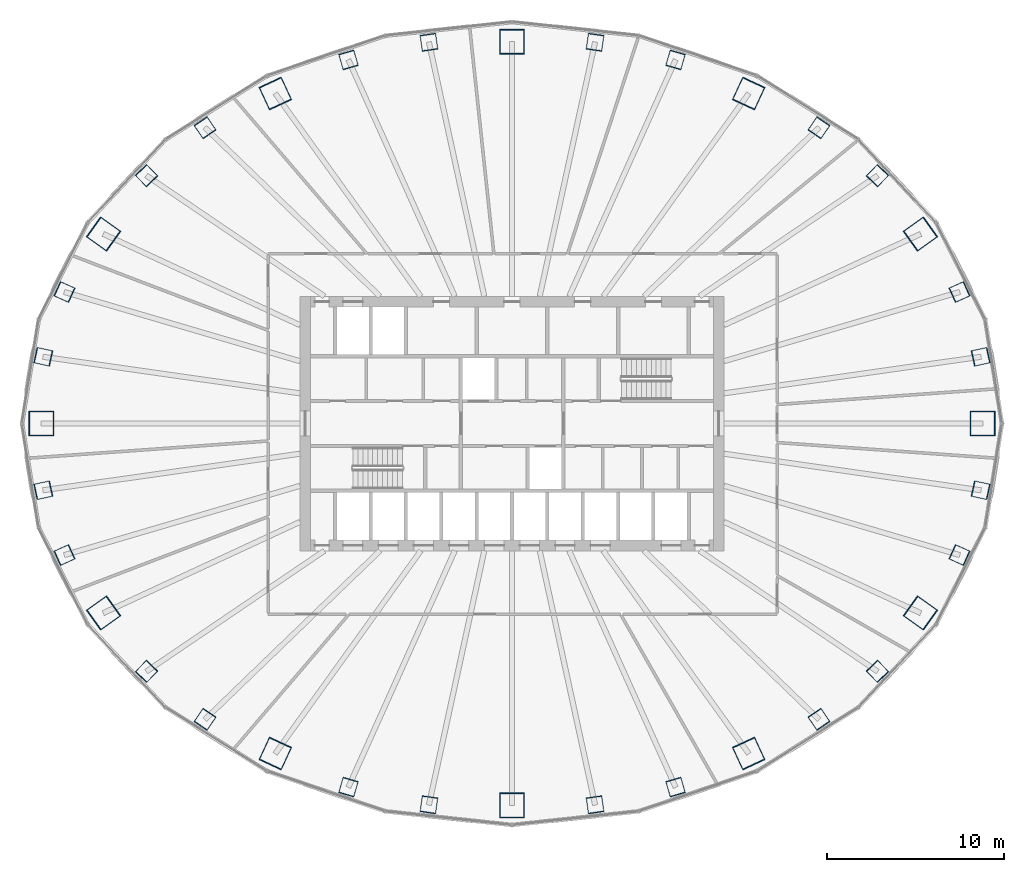
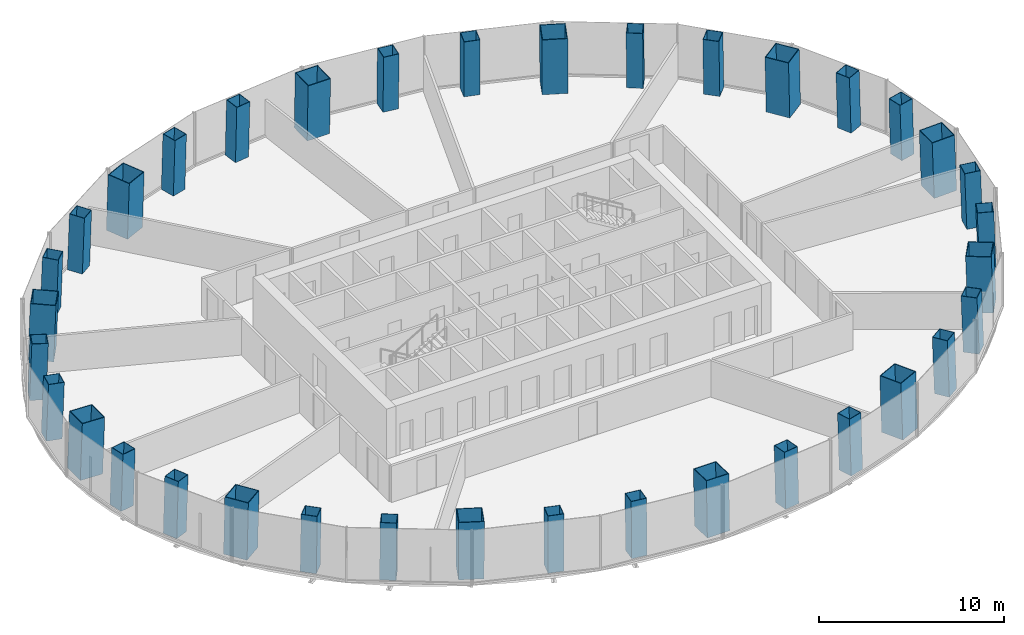
# One storey, part 1 of 11: 36 columns.
"""IFC4 building model written with IfcOpenShell, lengths in metres."""

import ifcopenshell
import ifcopenshell.guid

model = None  # the IFC model being written
_history = None  # IfcOwnerHistory: only IFC2X3 demands one
_inside = {}  # id of a spatial element -> (the spatial element, [elements in it])
_under = {}  # id of a project, library or spatial element -> (it, [spatial elements below it])
_declared = {}  # id of a project -> (the project, [libraries it declares])
_typed = {}  # id of a type object -> (the type object, [elements of that type])
_made_of = {}  # id of a material, layer set ... -> (it, [elements and type objects made of it])


def new_model(schema):
    """Start an empty IFC model of exactly this schema.

    Asked for "IFC4X3", IfcOpenShell would pick the latest addendum, in which some entities
    have other attributes; the version numbers below select the first issue.
    IFC2X3 requires an IfcOwnerHistory on every rooted entity: one is made here for all.
    """
    global model, _history
    if schema == "IFC4X3":
        model = ifcopenshell.file(schema_version=(4, 3, 0, 0))
    else:
        model = ifcopenshell.file(schema=schema)
    _inside.clear()
    _under.clear()
    _declared.clear()
    _typed.clear()
    _made_of.clear()
    _history = None
    if model.schema == "IFC2X3":
        org = make("IfcOrganization", Name="unknown")
        user = make(
            "IfcPersonAndOrganization",
            ThePerson=make("IfcPerson", FamilyName="unknown"),
            TheOrganization=org,
        )
        app = make(
            "IfcApplication",
            ApplicationDeveloper=org,
            Version="unknown",
            ApplicationFullName="unknown",
            ApplicationIdentifier="unknown",
        )
        _history = make(
            "IfcOwnerHistory",
            OwningUser=user,
            OwningApplication=app,
            ChangeAction="ADDED",
            CreationDate=0,
        )
    return model


def make(cls, **values):
    """One entity of the class cls with the attributes given. An attribute that is None is left unset."""
    return model.create_entity(
        cls, **{name: value for name, value in values.items() if value is not None}
    )


def rooted(cls, **values):
    """An entity with a GlobalId (a new one), such as an element, a storey or a relation."""
    return make(cls, GlobalId=ifcopenshell.guid.new(), OwnerHistory=_history, **values)


def si_unit(unit_type, name, prefix=None):
    """IfcSIUnit, for example si_unit("LENGTHUNIT", "METRE", prefix="MILLI")."""
    return make("IfcSIUnit", UnitType=unit_type, Prefix=prefix, Name=name)


def assignment(units):
    """IfcUnitAssignment: the units of a project."""
    return None if units is None else make("IfcUnitAssignment", Units=units)


def point(xyz):
    """IfcCartesianPoint."""
    return None if xyz is None else make("IfcCartesianPoint", Coordinates=xyz)


def direction(xyz):
    """IfcDirection."""
    return None if xyz is None else make("IfcDirection", DirectionRatios=xyz)


def frame(location, z_axis=None, x_axis=None):
    """IfcAxis2Placement3D, a coordinate frame: its origin and axes. An axis left out is left unset."""
    return make(
        "IfcAxis2Placement3D",
        Location=point(location),
        Axis=direction(z_axis),
        RefDirection=direction(x_axis),
    )


def frame_2d(location, x_axis=None):
    """IfcAxis2Placement2D, a coordinate frame in the plane: its origin and x axis."""
    return make(
        "IfcAxis2Placement2D", Location=point(location), RefDirection=direction(x_axis)
    )


def origin():
    """The frame at (0, 0, 0) with its axes left unset."""
    return frame((0.0, 0.0, 0.0))


def origin_2d():
    """The frame at (0, 0) in the plane with its x axis left unset."""
    return frame_2d((0.0, 0.0))


def place(relative_to, where):
    """IfcLocalPlacement: puts the frame where relative to a parent placement (None: the world)."""
    return make(
        "IfcLocalPlacement", PlacementRelTo=relative_to, RelativePlacement=where
    )


def context(
    kind, dimensions, precision=None, world=None, true_north=None, identifier=None
):
    """IfcGeometricRepresentationContext, for example the 3D "Model" context."""
    return make(
        "IfcGeometricRepresentationContext",
        ContextIdentifier=identifier,
        ContextType=kind,
        CoordinateSpaceDimension=dimensions,
        Precision=precision,
        WorldCoordinateSystem=world,
        TrueNorth=true_north,
    )


def subcontext(parent, identifier, kind, view, scale=None):
    """IfcGeometricRepresentationSubContext, for example "Body" below "Model"."""
    return make(
        "IfcGeometricRepresentationSubContext",
        ContextIdentifier=identifier,
        ContextType=kind,
        ParentContext=parent,
        TargetScale=scale,
        TargetView=view,
    )


def project(units=None, contexts=None):
    """IfcProject with its units and contexts."""
    return rooted(
        "IfcProject",
        Name="project",
        RepresentationContexts=contexts,
        UnitsInContext=assignment(units),
    )


def spatial(cls, under=None, at=None, **own):
    """A site, building, storey or space (cls), placed at a placement, below another one or the project."""
    s = rooted(cls, ObjectPlacement=at, **own)
    if under is not None:
        _under.setdefault(under.id(), (under, []))[1].append(s)
    return s


def profile(cls, at=None, kind="AREA", **sizes):
    """A parametric profile (cls). Its sizes go by their IFC names, for example OverallWidth=200.0."""
    return make(cls, ProfileType=kind, Position=at, **sizes)


def hollow_rectangle(**sizes):
    """IfcRectangleHollowProfileDef."""
    return profile("IfcRectangleHollowProfileDef", **sizes)


def extrude(swept, where, along, depth):
    """IfcExtrudedAreaSolid: the profile swept, set in the frame where, extruded along a direction by depth."""
    return make(
        "IfcExtrudedAreaSolid",
        SweptArea=swept,
        Position=where,
        ExtrudedDirection=direction(along),
        Depth=depth,
    )


def shape(context_of_items, identifier, shape_type, items):
    """IfcShapeRepresentation: the items that make up one representation, for example the "Body"."""
    return make(
        "IfcShapeRepresentation",
        ContextOfItems=context_of_items,
        RepresentationIdentifier=identifier,
        RepresentationType=shape_type,
        Items=items,
    )


def material(Name=None, Category=None):
    """IfcMaterial."""
    return make("IfcMaterial", Name=Name, Category=Category)


def material_profile(
    of_material, cross_section, Name=None, Category=None, Priority=None
):
    """IfcMaterialProfile: a cross section and its material."""
    return make(
        "IfcMaterialProfile",
        Name=Name,
        Material=of_material,
        Profile=cross_section,
        Priority=Priority,
        Category=Category,
    )


def profile_set(profiles, Name=None, composite=None):
    """IfcMaterialProfileSet."""
    return make(
        "IfcMaterialProfileSet",
        Name=Name,
        MaterialProfiles=profiles,
        CompositeProfile=composite,
    )


def made_of(thing, what):
    """Note that an element or type object is made of a material, layer set ...; save() writes the relation."""
    if what is not None:
        _made_of.setdefault(what.id(), (what, []))[1].append(thing)
    return thing


def type_object(cls, material=None, **own):
    """A type object (cls), such as IfcWallType, which elements share."""
    return made_of(rooted(cls, **own), material)


def element(
    cls,
    number,
    at=None,
    inside=None,
    cuts=None,
    type_object=None,
    material=None,
    context=None,
    identifier="Body",
    shape_type=None,
    held_by="IfcProductDefinitionShape",
    body=None,
    shapes=None,
    **own,
):
    """One element of the class cls, such as IfcWall. Its Tag is "e" and its number.

    at: its placement. inside: the storey or other place that contains it. cuts: it is an
    opening in that element (IfcRelVoidsElement). A single representation is given by context,
    identifier, shape_type and body (its items); several are given by shapes. held_by: the class
    of the entity that holds the representations. save() writes the other relations.
    """
    e = rooted(cls, Tag="e%d" % number, ObjectPlacement=at, **own)
    if body is not None:
        shapes = [shape(context, identifier, shape_type, body)]
    if shapes is not None:
        e.Representation = make(held_by, Representations=shapes)
    if inside is not None:
        _inside.setdefault(inside.id(), (inside, []))[1].append(e)
    if cuts is not None:
        rooted(
            "IfcRelVoidsElement", RelatingBuildingElement=cuts, RelatedOpeningElement=e
        )
    if type_object is not None:
        _typed.setdefault(type_object.id(), (type_object, []))[1].append(e)
    return made_of(e, material)


def aggregate(whole, parts):
    """IfcRelAggregates: a whole, such as a stair, and the parts it consists of."""
    return rooted("IfcRelAggregates", RelatingObject=whole, RelatedObjects=parts)


def save(model, path):
    """Write the relations noted so far, then the file.

    IfcRelAggregates (storeys below a building ...), IfcRelContainedInSpatialStructure (elements
    in a storey), IfcRelDefinesByType, IfcRelAssociatesMaterial and IfcRelDeclares: one each for
    every whole, place, type object, material and project.
    """
    for whole, parts in _under.values():
        aggregate(whole, parts)
    for where, things in _inside.values():
        rooted(
            "IfcRelContainedInSpatialStructure",
            RelatedElements=things,
            RelatingStructure=where,
        )
    for kind, things in _typed.values():
        rooted("IfcRelDefinesByType", RelatedObjects=things, RelatingType=kind)
    for what, things in _made_of.values():
        rooted("IfcRelAssociatesMaterial", RelatedObjects=things, RelatingMaterial=what)
    for by, libraries in _declared.values():
        rooted("IfcRelDeclares", RelatingContext=by, RelatedDefinitions=libraries)
    model.write(path)


model = new_model("IFC4")

# Units and contexts
model_context = context("Model", 3, precision=1e-05, world=origin(), true_north=direction((0.0, 1.0)))
body_context = subcontext(model_context, "Body", "Model", "MODEL_VIEW")
ifc_project = project(units=[si_unit("LENGTHUNIT", "METRE"), si_unit("AREAUNIT", "SQUARE_METRE"), si_unit("VOLUMEUNIT", "CUBIC_METRE"), si_unit("PLANEANGLEUNIT", "RADIAN"), si_unit("MASSUNIT", "GRAM", prefix="KILO")], contexts=[model_context])

# Site, building, storey
site_placement = place(None, origin())
site = spatial("IfcSite", under=ifc_project, at=site_placement, CompositionType="ELEMENT")
building_placement = place(site_placement, origin())
building = spatial("IfcBuilding", under=site, at=building_placement, Name="Siaravel Broadcast Tower", CompositionType="ELEMENT")
storey_placement = place(building_placement, frame((0.0, 0.0, 51.89990234375)))
storey = spatial("IfcBuildingStorey", under=building, at=storey_placement, Name="L11", CompositionType="ELEMENT", Elevation=51.89990234375)

# Columns
ifc_material = material(Name="Concrete C70/85", Category="concrete")
ifc_material_profile_1 = material_profile(ifc_material, hollow_rectangle(XDim=1.39990234375, YDim=1.39990234375, WallThickness=0.0400390625, at=origin_2d()))
ifc_profile_set_1 = profile_set([ifc_material_profile_1], Name="Concrete C70/85")
column_type_1 = type_object("IfcColumnType", Name="COL-CFT BOX 1400x1400x40", PredefinedType="COLUMN", material=ifc_profile_set_1)
column_1_placement = place(storey_placement, frame((26.64599609375, 0.0, 0.0), z_axis=(-0.034618983, 0.0, 0.999400583), x_axis=(0.0, -1.0, 0.0)))
element("IfcColumn", 1, at=column_1_placement, inside=storey, type_object=column_type_1, Name="Megacolumn MC01", PredefinedType="COLUMN", context=body_context, shape_type="SweptSolid", body=[
    extrude(hollow_rectangle(XDim=1.39990234375, YDim=1.39990234375, WallThickness=0.0400390625, at=origin_2d()), origin(), (0.0, 0.0, 1.0), 3.702392578125),
])
column_2_placement = place(storey_placement, frame((23.129638671875, 10.729736328125, 0.0), z_axis=(-0.029938721, -0.014112084, 0.999452111), x_axis=(0.581020427, -0.813867496, 0.005912881)))
element("IfcColumn", 2, at=column_2_placement, inside=storey, type_object=column_type_1, Name="Megacolumn MC02", PredefinedType="COLUMN", context=body_context, shape_type="SweptSolid", body=[
    extrude(hollow_rectangle(XDim=1.39990234375, YDim=1.39990234375, WallThickness=0.0400390625, at=origin_2d()), origin(), (0.0, 0.0, 1.0), 3.7021484375),
])
column_3_placement = place(storey_placement, frame((13.402587890625, 18.687744140625, 0.0), z_axis=(-0.017279098, -0.024533681, 0.999549664), x_axis=(0.907591228, -0.419820395, 0.005385043)))
element("IfcColumn", 3, at=column_3_placement, inside=storey, type_object=column_type_1, Name="Megacolumn MC03", PredefinedType="COLUMN", context=body_context, shape_type="SweptSolid", body=[
    extrude(hollow_rectangle(XDim=1.39990234375, YDim=1.39990234375, WallThickness=0.0400390625, at=origin_2d()), origin(), (0.0, 0.0, 1.0), 3.701904296875),
])
column_4_placement = place(storey_placement, frame((0.0, 21.627197265625, 0.0), z_axis=(0.0, -0.02836019, 0.999597769), x_axis=(1.0, 0.0, 0.0)))
element("IfcColumn", 4, at=column_4_placement, inside=storey, type_object=column_type_1, Name="Megacolumn MC04", PredefinedType="COLUMN", context=body_context, shape_type="SweptSolid", body=[
    extrude(hollow_rectangle(XDim=1.39990234375, YDim=1.39990234375, WallThickness=0.0400390625, at=origin_2d()), origin(), (0.0, 0.0, 1.0), 3.70166015625),
])
column_5_placement = place(storey_placement, frame((-13.402587890625, 18.687744140625, 0.0), z_axis=(0.017279098, -0.024533681, 0.999549664), x_axis=(0.907591228, 0.419820395, -0.005385043)))
element("IfcColumn", 5, at=column_5_placement, inside=storey, type_object=column_type_1, Name="Megacolumn MC05", PredefinedType="COLUMN", context=body_context, shape_type="SweptSolid", body=[
    extrude(hollow_rectangle(XDim=1.39990234375, YDim=1.39990234375, WallThickness=0.0400390625, at=origin_2d()), origin(), (0.0, 0.0, 1.0), 3.701904296875),
])
column_6_placement = place(storey_placement, frame((-23.129638671875, 10.729736328125, 0.0), z_axis=(0.029938721, -0.014112084, 0.999452111), x_axis=(0.581020427, 0.813867496, -0.005912881)))
element("IfcColumn", 6, at=column_6_placement, inside=storey, type_object=column_type_1, Name="Megacolumn MC06", PredefinedType="COLUMN", context=body_context, shape_type="SweptSolid", body=[
    extrude(hollow_rectangle(XDim=1.39990234375, YDim=1.39990234375, WallThickness=0.0400390625, at=origin_2d()), origin(), (0.0, 0.0, 1.0), 3.7021484375),
])
column_7_placement = place(storey_placement, frame((-26.64599609375, 0.0, 0.0), z_axis=(0.034618983, 0.0, 0.999400583), x_axis=(0.0, 1.0, 0.0)))
element("IfcColumn", 7, at=column_7_placement, inside=storey, type_object=column_type_1, Name="Megacolumn MC07", PredefinedType="COLUMN", context=body_context, shape_type="SweptSolid", body=[
    extrude(hollow_rectangle(XDim=1.39990234375, YDim=1.39990234375, WallThickness=0.0400390625, at=origin_2d()), origin(), (0.0, 0.0, 1.0), 3.702392578125),
])
column_8_placement = place(storey_placement, frame((-23.129638671875, -10.729736328125, 0.0), z_axis=(0.029938721, 0.014112084, 0.999452111), x_axis=(-0.581020427, 0.813867496, 0.005912881)))
element("IfcColumn", 8, at=column_8_placement, inside=storey, type_object=column_type_1, Name="Megacolumn MC08", PredefinedType="COLUMN", context=body_context, shape_type="SweptSolid", body=[
    extrude(hollow_rectangle(XDim=1.39990234375, YDim=1.39990234375, WallThickness=0.0400390625, at=origin_2d()), origin(), (0.0, 0.0, 1.0), 3.7021484375),
])
column_9_placement = place(storey_placement, frame((-13.402587890625, -18.687744140625, 0.0), z_axis=(0.017279098, 0.024533681, 0.999549664), x_axis=(-0.907591228, 0.419820395, 0.005385043)))
element("IfcColumn", 9, at=column_9_placement, inside=storey, type_object=column_type_1, Name="Megacolumn MC09", PredefinedType="COLUMN", context=body_context, shape_type="SweptSolid", body=[
    extrude(hollow_rectangle(XDim=1.39990234375, YDim=1.39990234375, WallThickness=0.0400390625, at=origin_2d()), origin(), (0.0, 0.0, 1.0), 3.701904296875),
])
column_10_placement = place(storey_placement, frame((0.0, -21.627197265625, 0.0), z_axis=(0.0, 0.02836019, 0.999597769), x_axis=(-1.0, 0.0, 0.0)))
element("IfcColumn", 10, at=column_10_placement, inside=storey, type_object=column_type_1, Name="Megacolumn MC10", PredefinedType="COLUMN", context=body_context, shape_type="SweptSolid", body=[
    extrude(hollow_rectangle(XDim=1.39990234375, YDim=1.39990234375, WallThickness=0.0400390625, at=origin_2d()), origin(), (0.0, 0.0, 1.0), 3.70166015625),
])
column_11_placement = place(storey_placement, frame((13.402587890625, -18.687744140625, 0.0), z_axis=(-0.017279098, 0.024533681, 0.999549664), x_axis=(-0.907591228, -0.419820395, -0.005385043)))
element("IfcColumn", 11, at=column_11_placement, inside=storey, type_object=column_type_1, Name="Megacolumn MC11", PredefinedType="COLUMN", context=body_context, shape_type="SweptSolid", body=[
    extrude(hollow_rectangle(XDim=1.39990234375, YDim=1.39990234375, WallThickness=0.0400390625, at=origin_2d()), origin(), (0.0, 0.0, 1.0), 3.701904296875),
])
column_12_placement = place(storey_placement, frame((23.129638671875, -10.729736328125, 0.0), z_axis=(-0.029938721, 0.014112084, 0.999452111), x_axis=(-0.581020427, -0.813867496, -0.005912881)))
element("IfcColumn", 12, at=column_12_placement, inside=storey, type_object=column_type_1, Name="Megacolumn MC12", PredefinedType="COLUMN", context=body_context, shape_type="SweptSolid", body=[
    extrude(hollow_rectangle(XDim=1.39990234375, YDim=1.39990234375, WallThickness=0.0400390625, at=origin_2d()), origin(), (0.0, 0.0, 1.0), 3.7021484375),
])
ifc_material_profile_2 = material_profile(ifc_material, hollow_rectangle(XDim=0.89990234375, YDim=0.89990234375, WallThickness=0.02490234375, at=origin_2d()))
ifc_profile_set_2 = profile_set([ifc_material_profile_2], Name="Concrete C70/85")
column_type_2 = type_object("IfcColumnType", Name="COL-CFT BOX 900x900x25", PredefinedType="COLUMN", material=ifc_profile_set_2)
for number, where, z_axis, x_axis, name in (
    (13, (26.54248046875, 3.7783203125, 0.0), (-0.034091657, -0.004945598, 0.999406474), (0.213009159, -0.977047178, 0.002431195), "Perimeter column C01"),
    (14, (25.341552734375, 7.4482421875, 0.0), (-0.032509649, -0.009693546, 0.999424413), (0.409567466, -0.912268859, 0.004474349), "Perimeter column C02"),
):
    element("IfcColumn", number, at=place(storey_placement, frame(where, z_axis=z_axis, x_axis=x_axis)), inside=storey, type_object=column_type_2, Name=name, PredefinedType="COLUMN", context=body_context, shape_type="SweptSolid", body=[
        extrude(hollow_rectangle(XDim=0.89990234375, YDim=0.89990234375, WallThickness=0.02490234375, at=origin_2d()), origin(), (0.0, 0.0, 1.0), 3.702392578125),
    ])
column_13_placement = place(storey_placement, frame((20.69580078125, 14.0361328125, 0.0), z_axis=(-0.026510431, -0.018201192, 0.999482823), x_axis=(0.719463139, -0.694500807, 0.006435864)))
element("IfcColumn", 15, at=column_13_placement, inside=storey, type_object=column_type_2, Name="Perimeter column C03", PredefinedType="COLUMN", context=body_context, shape_type="SweptSolid", body=[
    extrude(hollow_rectangle(XDim=0.89990234375, YDim=0.89990234375, WallThickness=0.02490234375, at=origin_2d()), origin(), (0.0, 0.0, 1.0), 3.7021484375),
])
column_14_placement = place(storey_placement, frame((17.381591796875, 16.750732421875, 0.0), z_axis=(-0.02222469, -0.021697101, 0.999517533), x_axis=(0.827695499, -0.561142971, 0.006223103)))
element("IfcColumn", 16, at=column_14_placement, inside=storey, type_object=column_type_2, Name="Perimeter column C04", PredefinedType="COLUMN", context=body_context, shape_type="SweptSolid", body=[
    extrude(hollow_rectangle(XDim=0.89990234375, YDim=0.89990234375, WallThickness=0.02490234375, at=origin_2d()), origin(), (0.0, 0.0, 1.0), 3.701904296875),
])
for number, where, z_axis, x_axis, name in (
    (17, (9.260986328125, 20.58984375, 0.0), (-0.011805488, -0.026644788, 0.999575253), (0.959882051, -0.280377469, 0.003862918), "Perimeter column C05"),
    (18, (4.70361328125, 21.590087890625, 0.0), (-0.006001778, -0.027898372, 0.999592747), (0.990093664, -0.14039384, 0.002026388), "Perimeter column C06"),
    (19, (-4.70361328125, 21.590087890625, 0.0), (0.006001778, -0.027898372, 0.999592747), (0.990093664, 0.14039384, -0.002026388), "Perimeter column C07"),
    (20, (-9.260986328125, 20.58984375, 0.0), (0.011805488, -0.026644788, 0.999575253), (0.959882051, 0.280377469, -0.003862918), "Perimeter column C08"),
):
    element("IfcColumn", number, at=place(storey_placement, frame(where, z_axis=z_axis, x_axis=x_axis)), inside=storey, type_object=column_type_2, Name=name, PredefinedType="COLUMN", context=body_context, shape_type="SweptSolid", body=[
        extrude(hollow_rectangle(XDim=0.89990234375, YDim=0.89990234375, WallThickness=0.02490234375, at=origin_2d()), origin(), (0.0, 0.0, 1.0), 3.70166015625),
    ])
column_15_placement = place(storey_placement, frame((-17.381591796875, 16.750732421875, 0.0), z_axis=(0.02222469, -0.021697101, 0.999517533), x_axis=(0.827695499, 0.561142971, -0.006223103)))
element("IfcColumn", 21, at=column_15_placement, inside=storey, type_object=column_type_2, Name="Perimeter column C09", PredefinedType="COLUMN", context=body_context, shape_type="SweptSolid", body=[
    extrude(hollow_rectangle(XDim=0.89990234375, YDim=0.89990234375, WallThickness=0.02490234375, at=origin_2d()), origin(), (0.0, 0.0, 1.0), 3.701904296875),
])
column_16_placement = place(storey_placement, frame((-20.69580078125, 14.0361328125, 0.0), z_axis=(0.026510431, -0.018201192, 0.999482823), x_axis=(0.719463139, 0.694500807, -0.006435864)))
element("IfcColumn", 22, at=column_16_placement, inside=storey, type_object=column_type_2, Name="Perimeter column C10", PredefinedType="COLUMN", context=body_context, shape_type="SweptSolid", body=[
    extrude(hollow_rectangle(XDim=0.89990234375, YDim=0.89990234375, WallThickness=0.02490234375, at=origin_2d()), origin(), (0.0, 0.0, 1.0), 3.7021484375),
])
for number, where, z_axis, x_axis, name in (
    (23, (-25.341552734375, 7.4482421875, 0.0), (0.032509649, -0.009693546, 0.999424413), (0.409567466, 0.912268859, -0.004474349), "Perimeter column C11"),
    (24, (-26.54248046875, 3.7783203125, 0.0), (0.034091657, -0.004945598, 0.999406474), (0.213009159, 0.977047178, -0.002431195), "Perimeter column C12"),
    (25, (-26.54248046875, -3.7783203125, 0.0), (0.034091657, 0.004945598, 0.999406474), (-0.213009159, 0.977047178, 0.002431195), "Perimeter column C13"),
    (26, (-25.341552734375, -7.4482421875, 0.0), (0.032509649, 0.009693546, 0.999424413), (-0.409567466, 0.912268859, 0.004474349), "Perimeter column C14"),
):
    element("IfcColumn", number, at=place(storey_placement, frame(where, z_axis=z_axis, x_axis=x_axis)), inside=storey, type_object=column_type_2, Name=name, PredefinedType="COLUMN", context=body_context, shape_type="SweptSolid", body=[
        extrude(hollow_rectangle(XDim=0.89990234375, YDim=0.89990234375, WallThickness=0.02490234375, at=origin_2d()), origin(), (0.0, 0.0, 1.0), 3.702392578125),
    ])
column_17_placement = place(storey_placement, frame((-20.69580078125, -14.0361328125, 0.0), z_axis=(0.026510431, 0.018201192, 0.999482823), x_axis=(-0.719463139, 0.694500807, 0.006435864)))
element("IfcColumn", 27, at=column_17_placement, inside=storey, type_object=column_type_2, Name="Perimeter column C15", PredefinedType="COLUMN", context=body_context, shape_type="SweptSolid", body=[
    extrude(hollow_rectangle(XDim=0.89990234375, YDim=0.89990234375, WallThickness=0.02490234375, at=origin_2d()), origin(), (0.0, 0.0, 1.0), 3.7021484375),
])
column_18_placement = place(storey_placement, frame((-17.381591796875, -16.750732421875, 0.0), z_axis=(0.02222469, 0.021697101, 0.999517533), x_axis=(-0.827695499, 0.561142971, 0.006223103)))
element("IfcColumn", 28, at=column_18_placement, inside=storey, type_object=column_type_2, Name="Perimeter column C16", PredefinedType="COLUMN", context=body_context, shape_type="SweptSolid", body=[
    extrude(hollow_rectangle(XDim=0.89990234375, YDim=0.89990234375, WallThickness=0.02490234375, at=origin_2d()), origin(), (0.0, 0.0, 1.0), 3.701904296875),
])
for number, where, z_axis, x_axis, name in (
    (29, (-9.260986328125, -20.58984375, 0.0), (0.011805488, 0.026644788, 0.999575253), (-0.959882051, 0.280377469, 0.003862918), "Perimeter column C17"),
    (30, (-4.70361328125, -21.590087890625, 0.0), (0.006001778, 0.027898372, 0.999592747), (-0.990093664, 0.14039384, 0.002026388), "Perimeter column C18"),
    (31, (4.70361328125, -21.590087890625, 0.0), (-0.006001778, 0.027898372, 0.999592747), (-0.990093664, -0.14039384, -0.002026388), "Perimeter column C19"),
    (32, (9.260986328125, -20.58984375, 0.0), (-0.011805488, 0.026644788, 0.999575253), (-0.959882051, -0.280377469, -0.003862918), "Perimeter column C20"),
):
    element("IfcColumn", number, at=place(storey_placement, frame(where, z_axis=z_axis, x_axis=x_axis)), inside=storey, type_object=column_type_2, Name=name, PredefinedType="COLUMN", context=body_context, shape_type="SweptSolid", body=[
        extrude(hollow_rectangle(XDim=0.89990234375, YDim=0.89990234375, WallThickness=0.02490234375, at=origin_2d()), origin(), (0.0, 0.0, 1.0), 3.70166015625),
    ])
column_19_placement = place(storey_placement, frame((17.381591796875, -16.750732421875, 0.0), z_axis=(-0.02222469, 0.021697101, 0.999517533), x_axis=(-0.827695499, -0.561142971, -0.006223103)))
element("IfcColumn", 33, at=column_19_placement, inside=storey, type_object=column_type_2, Name="Perimeter column C21", PredefinedType="COLUMN", context=body_context, shape_type="SweptSolid", body=[
    extrude(hollow_rectangle(XDim=0.89990234375, YDim=0.89990234375, WallThickness=0.02490234375, at=origin_2d()), origin(), (0.0, 0.0, 1.0), 3.701904296875),
])
column_20_placement = place(storey_placement, frame((20.69580078125, -14.0361328125, 0.0), z_axis=(-0.026510431, 0.018201192, 0.999482823), x_axis=(-0.719463139, -0.694500807, -0.006435864)))
element("IfcColumn", 34, at=column_20_placement, inside=storey, type_object=column_type_2, Name="Perimeter column C22", PredefinedType="COLUMN", context=body_context, shape_type="SweptSolid", body=[
    extrude(hollow_rectangle(XDim=0.89990234375, YDim=0.89990234375, WallThickness=0.02490234375, at=origin_2d()), origin(), (0.0, 0.0, 1.0), 3.7021484375),
])
for number, where, z_axis, x_axis, name in (
    (35, (25.341552734375, -7.4482421875, 0.0), (-0.032509649, 0.009693546, 0.999424413), (-0.409567466, -0.912268859, -0.004474349), "Perimeter column C23"),
    (36, (26.54248046875, -3.7783203125, 0.0), (-0.034091657, 0.004945598, 0.999406474), (-0.213009159, -0.977047178, -0.002431195), "Perimeter column C24"),
):
    element("IfcColumn", number, at=place(storey_placement, frame(where, z_axis=z_axis, x_axis=x_axis)), inside=storey, type_object=column_type_2, Name=name, PredefinedType="COLUMN", context=body_context, shape_type="SweptSolid", body=[
        extrude(hollow_rectangle(XDim=0.89990234375, YDim=0.89990234375, WallThickness=0.02490234375, at=origin_2d()), origin(), (0.0, 0.0, 1.0), 3.702392578125),
    ])

save(model, "model.ifc")
